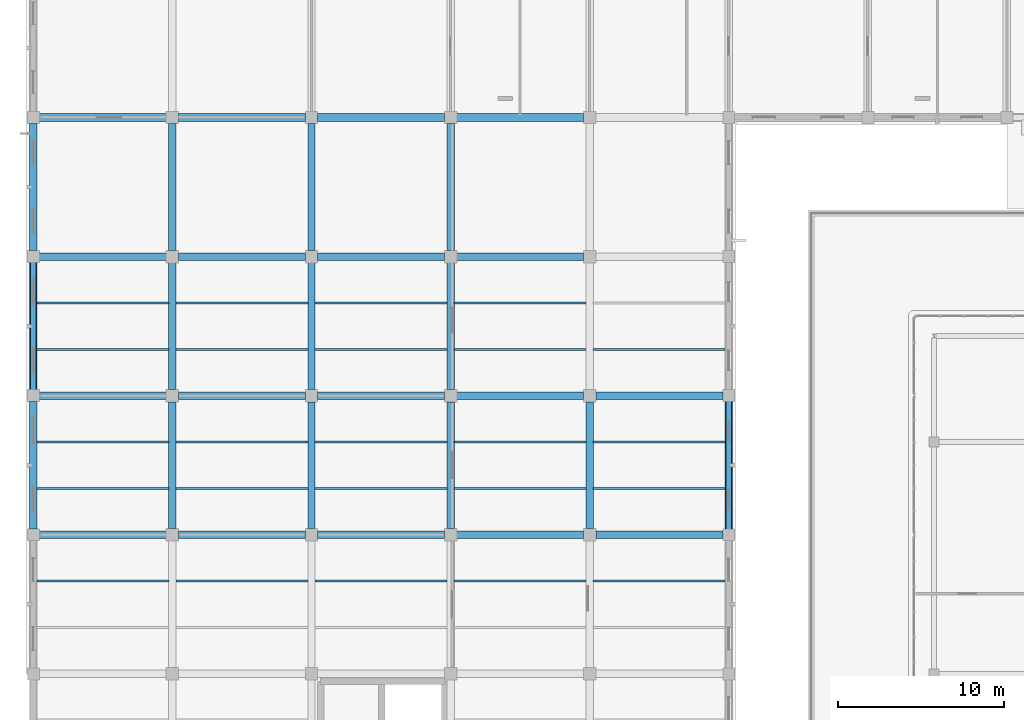
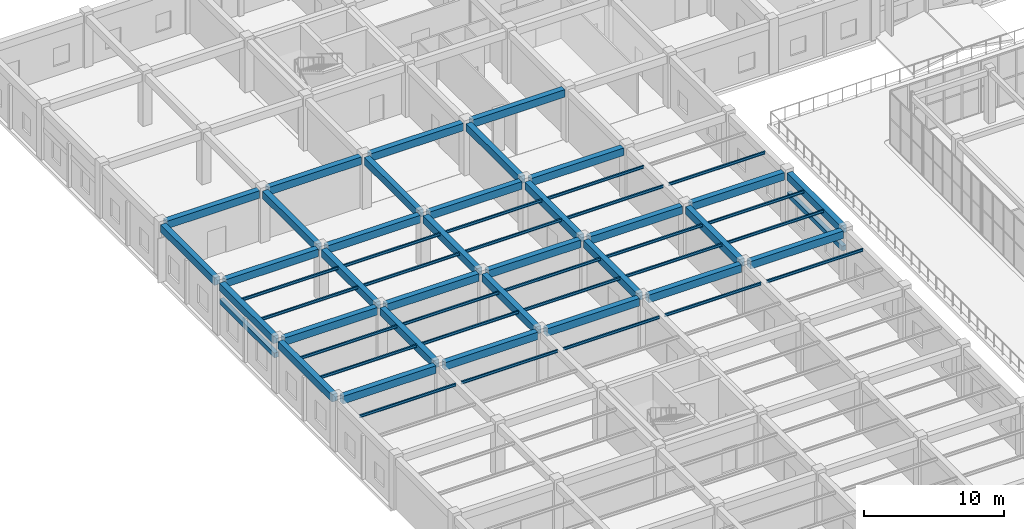
# One storey, part 53 of 158: 58 beams.
"""IFC4 building model written with IfcOpenShell, lengths in metres."""

from ifc_helpers import new_model, si_unit, direction, frame, origin, origin_2d, place, context, subcontext, project, spatial, rectangle, i_section, extrude, material, material_profile, profile_set, type_object, element, save


model = new_model("IFC4")

# Units and contexts
model_context = context("Model", 3, precision=1e-05, world=origin(), true_north=direction((0.0, 1.0)))
body_context = subcontext(model_context, "Body", "Model", "MODEL_VIEW")
ifc_project = project(units=[si_unit("LENGTHUNIT", "METRE"), si_unit("AREAUNIT", "SQUARE_METRE"), si_unit("VOLUMEUNIT", "CUBIC_METRE"), si_unit("PLANEANGLEUNIT", "RADIAN"), si_unit("MASSUNIT", "GRAM", prefix="KILO")], contexts=[model_context])

# Site, building, storey
site_placement = place(None, origin())
site = spatial("IfcSite", under=ifc_project, at=site_placement, CompositionType="ELEMENT")
building_placement = place(site_placement, origin())
building = spatial("IfcBuilding", under=site, at=building_placement, Name="Trelvath General Hospital", CompositionType="ELEMENT")
storey_placement = place(building_placement, frame((0.0, 0.0, 8.10009765625)))
storey = spatial("IfcBuildingStorey", under=building, at=storey_placement, Name="L02", CompositionType="ELEMENT", Elevation=8.10009765625)

# Beams
ifc_material_1 = material(Name="Concrete C35/45", Category="concrete")
ifc_material_profile_1 = material_profile(ifc_material_1, rectangle(XDim=0.449951171875, YDim=0.64990234375, at=origin_2d()), Name="RCB450x650")
ifc_profile_set_1 = profile_set([ifc_material_profile_1], Name="Concrete C35/45")
beam_type_1 = type_object("IfcBeamType", Name="Beam RC450x650", PredefinedType="BEAM", material=ifc_profile_set_1)
beam_1_placement = place(storey_placement, frame((0.0, 67.554931640625, 4.19482421875), z_axis=(0.0, 1.0, 0.0), x_axis=(-1.0, 0.0, 0.0)))
element("IfcBeam", 1, at=beam_1_placement, inside=storey, type_object=beam_type_1, Name="Grid Beam BY-200I", PredefinedType="BEAM", context=body_context, shape_type="SweptSolid", body=[
    extrude(rectangle(XDim=0.449951171875, YDim=0.64990234375, at=origin_2d()), origin(), (0.0, 0.0, 1.0), 7.690185546875),
])
for number, where, z_axis, x_axis, name in (
    (2, (0.0, 75.955078125, 4.19482421875), (0.0, 1.0, 0.0), (-1.0, 0.0, 0.0), "Grid Beam BY-200J"),
    (3, (0.0, 84.35498046875, 4.19482421875), (0.0, 1.0, 0.0), (-1.0, 0.0, 0.0), "Grid Beam BY-200K"),
):
    element("IfcBeam", number, at=place(storey_placement, frame(where, z_axis=z_axis, x_axis=x_axis)), inside=storey, type_object=beam_type_1, Name=name, PredefinedType="BEAM", context=body_context, shape_type="SweptSolid", body=[
        extrude(rectangle(XDim=0.449951171875, YDim=0.64990234375, at=origin_2d()), origin(), (0.0, 0.0, 1.0), 7.68994140625),
    ])
for number, where, z_axis, x_axis, name in (
    (4, (8.39990234375, 67.570068359375, 4.19482421875), (0.0, 1.0, 0.0), (-1.0, 0.0, 0.0), "Grid Beam BY-201I"),
    (5, (8.39990234375, 75.969970703125, 4.19482421875), (0.0, 1.0, 0.0), (-1.0, 0.0, 0.0), "Grid Beam BY-201J"),
    (6, (8.39990234375, 84.3701171875, 4.19482421875), (0.0, 1.0, 0.0), (-1.0, 0.0, 0.0), "Grid Beam BY-201K"),
    (7, (16.800048828125, 67.570068359375, 4.19482421875), (0.0, 1.0, 0.0), (-1.0, 0.0, 0.0), "Grid Beam BY-202I"),
    (8, (16.800048828125, 75.969970703125, 4.19482421875), (0.0, 1.0, 0.0), (-1.0, 0.0, 0.0), "Grid Beam BY-202J"),
    (9, (16.800048828125, 84.3701171875, 4.19482421875), (0.0, 1.0, 0.0), (-1.0, 0.0, 0.0), "Grid Beam BY-202K"),
    (10, (25.199951171875, 67.570068359375, 4.19482421875), (0.0, 1.0, 0.0), (-1.0, 0.0, 0.0), "Grid Beam BY-203I"),
    (11, (25.199951171875, 75.969970703125, 4.19482421875), (0.0, 1.0, 0.0), (-1.0, 0.0, 0.0), "Grid Beam BY-203J"),
    (12, (25.199951171875, 84.3701171875, 4.19482421875), (0.0, 1.0, 0.0), (-1.0, 0.0, 0.0), "Grid Beam BY-203K"),
    (13, (33.60009765625, 67.570068359375, 4.19482421875), (0.0, 1.0, 0.0), (-1.0, 0.0, 0.0), "Grid Beam BY-204I"),
):
    element("IfcBeam", number, at=place(storey_placement, frame(where, z_axis=z_axis, x_axis=x_axis)), inside=storey, type_object=beam_type_1, Name=name, PredefinedType="BEAM", context=body_context, shape_type="SweptSolid", body=[
        extrude(rectangle(XDim=0.449951171875, YDim=0.64990234375, at=origin_2d()), origin(), (0.0, 0.0, 1.0), 7.659912109375),
    ])
beam_2_placement = place(storey_placement, frame((42.0, 67.554931640625, 4.19482421875), z_axis=(0.0, 1.0, 0.0), x_axis=(-1.0, 0.0, 0.0)))
element("IfcBeam", 14, at=beam_2_placement, inside=storey, type_object=beam_type_1, Name="Grid Beam BY-205I", PredefinedType="BEAM", context=body_context, shape_type="SweptSolid", body=[
    extrude(rectangle(XDim=0.449951171875, YDim=0.64990234375, at=origin_2d()), origin(), (0.0, 0.0, 1.0), 7.690185546875),
])
ifc_material_2 = material(Name="Concrete C35/45", Category="concrete")
ifc_material_profile_2 = material_profile(ifc_material_2, rectangle(XDim=0.4599609375, YDim=0.659912109375, at=origin_2d()), Name="RCB460x660")
ifc_profile_set_2 = profile_set([ifc_material_profile_2], Name="Concrete C35/45")
beam_type_2 = type_object("IfcBeamType", Name="Beam RC460x660", PredefinedType="BEAM", material=ifc_profile_set_2)
for number, where, z_axis, x_axis, name in (
    (15, (0.35498046875, 67.199951171875, 4.18994140625), (1.0, 0.0, 0.0), (0.0, 1.0, 0.0), "Grid Beam BX-200I"),
    (16, (0.35498046875, 75.60009765625, 4.18994140625), (1.0, 0.0, 0.0), (0.0, 1.0, 0.0), "Grid Beam BX-200J"),
    (17, (0.35498046875, 84.0, 4.18994140625), (1.0, 0.0, 0.0), (0.0, 1.0, 0.0), "Grid Beam BX-200K"),
    (18, (0.35498046875, 92.39990234375, 4.18994140625), (1.0, 0.0, 0.0), (0.0, 1.0, 0.0), "Grid Beam BX-200L"),
):
    element("IfcBeam", number, at=place(storey_placement, frame(where, z_axis=z_axis, x_axis=x_axis)), inside=storey, type_object=beam_type_2, Name=name, PredefinedType="BEAM", context=body_context, shape_type="SweptSolid", body=[
        extrude(rectangle(XDim=0.4599609375, YDim=0.659912109375, at=origin_2d()), origin(), (0.0, 0.0, 1.0), 7.675048828125),
    ])
for number, where, z_axis, x_axis, name in (
    (19, (8.77001953125, 67.199951171875, 4.18994140625), (1.0, 0.0, 0.0), (0.0, 1.0, 0.0), "Grid Beam BX-201I"),
    (20, (8.77001953125, 75.60009765625, 4.18994140625), (1.0, 0.0, 0.0), (0.0, 1.0, 0.0), "Grid Beam BX-201J"),
    (21, (8.77001953125, 84.0, 4.18994140625), (1.0, 0.0, 0.0), (0.0, 1.0, 0.0), "Grid Beam BX-201K"),
    (22, (8.77001953125, 92.39990234375, 4.18994140625), (1.0, 0.0, 0.0), (0.0, 1.0, 0.0), "Grid Beam BX-201L"),
):
    element("IfcBeam", number, at=place(storey_placement, frame(where, z_axis=z_axis, x_axis=x_axis)), inside=storey, type_object=beam_type_2, Name=name, PredefinedType="BEAM", context=body_context, shape_type="SweptSolid", body=[
        extrude(rectangle(XDim=0.4599609375, YDim=0.659912109375, at=origin_2d()), origin(), (0.0, 0.0, 1.0), 7.659912109375),
    ])
for number, where, z_axis, x_axis, name in (
    (23, (17.169921875, 67.199951171875, 4.18994140625), (1.0, 0.0, 0.0), (0.0, 1.0, 0.0), "Grid Beam BX-202I"),
    (24, (17.169921875, 75.60009765625, 4.18994140625), (1.0, 0.0, 0.0), (0.0, 1.0, 0.0), "Grid Beam BX-202J"),
    (25, (17.169921875, 84.0, 4.18994140625), (1.0, 0.0, 0.0), (0.0, 1.0, 0.0), "Grid Beam BX-202K"),
    (26, (17.169921875, 92.39990234375, 4.18994140625), (1.0, 0.0, 0.0), (0.0, 1.0, 0.0), "Grid Beam BX-202L"),
):
    element("IfcBeam", number, at=place(storey_placement, frame(where, z_axis=z_axis, x_axis=x_axis)), inside=storey, type_object=beam_type_2, Name=name, PredefinedType="BEAM", context=body_context, shape_type="SweptSolid", body=[
        extrude(rectangle(XDim=0.4599609375, YDim=0.659912109375, at=origin_2d()), origin(), (0.0, 0.0, 1.0), 7.66015625),
    ])
for number, where, z_axis, x_axis, name in (
    (27, (25.570068359375, 67.199951171875, 4.18994140625), (1.0, 0.0, 0.0), (0.0, 1.0, 0.0), "Grid Beam BX-203I"),
    (28, (25.570068359375, 75.60009765625, 4.18994140625), (1.0, 0.0, 0.0), (0.0, 1.0, 0.0), "Grid Beam BX-203J"),
    (29, (25.570068359375, 84.0, 4.18994140625), (1.0, 0.0, 0.0), (0.0, 1.0, 0.0), "Grid Beam BX-203K"),
    (30, (25.570068359375, 92.39990234375, 4.18994140625), (1.0, 0.0, 0.0), (0.0, 1.0, 0.0), "Grid Beam BX-203L"),
):
    element("IfcBeam", number, at=place(storey_placement, frame(where, z_axis=z_axis, x_axis=x_axis)), inside=storey, type_object=beam_type_2, Name=name, PredefinedType="BEAM", context=body_context, shape_type="SweptSolid", body=[
        extrude(rectangle(XDim=0.4599609375, YDim=0.659912109375, at=origin_2d()), origin(), (0.0, 0.0, 1.0), 7.659912109375),
    ])
for number, where, z_axis, x_axis, name in (
    (31, (33.969970703125, 67.199951171875, 4.18994140625), (1.0, 0.0, 0.0), (0.0, 1.0, 0.0), "Grid Beam BX-204I"),
    (32, (33.969970703125, 75.60009765625, 4.18994140625), (1.0, 0.0, 0.0), (0.0, 1.0, 0.0), "Grid Beam BX-204J"),
):
    element("IfcBeam", number, at=place(storey_placement, frame(where, z_axis=z_axis, x_axis=x_axis)), inside=storey, type_object=beam_type_2, Name=name, PredefinedType="BEAM", context=body_context, shape_type="SweptSolid", body=[
        extrude(rectangle(XDim=0.4599609375, YDim=0.659912109375, at=origin_2d()), origin(), (0.0, 0.0, 1.0), 7.675048828125),
    ])
ifc_material_3 = material(Name="Steel S355", Category="steel")
ifc_material_profile_3 = material_profile(ifc_material_3, i_section(OverallWidth=0.1201171875, OverallDepth=0.239990234375, WebThickness=0.006103515625, FlangeThickness=0.009765625, at=origin_2d()), Name="IPE240")
ifc_profile_set_3 = profile_set([ifc_material_profile_3], Name="Steel S355")
beam_type_3 = type_object("IfcBeamType", Name="InterstitialJoist IPE240", PredefinedType="JOIST", material=ifc_profile_set_3)
for number, where, z_axis, x_axis, name in (
    (33, (0.215087890625, 64.39990234375, 4.39990234375), (1.0, 0.0, 0.0), (0.0, 1.0, 0.0), "Interstitial Deck Joist IJ-3-170"),
    (34, (0.215087890625, 70.0, 4.39990234375), (1.0, 0.0, 0.0), (0.0, 1.0, 0.0), "Interstitial Deck Joist IJ-3-171"),
    (35, (0.215087890625, 72.800048828125, 4.39990234375), (1.0, 0.0, 0.0), (0.0, 1.0, 0.0), "Interstitial Deck Joist IJ-3-172"),
    (36, (0.215087890625, 78.39990234375, 4.39990234375), (1.0, 0.0, 0.0), (0.0, 1.0, 0.0), "Interstitial Deck Joist IJ-3-173"),
    (37, (0.215087890625, 81.199951171875, 4.39990234375), (1.0, 0.0, 0.0), (0.0, 1.0, 0.0), "Interstitial Deck Joist IJ-3-174"),
    (38, (8.614990234375, 64.39990234375, 4.39990234375), (1.0, 0.0, 0.0), (0.0, 1.0, 0.0), "Interstitial Deck Joist IJ-3-182"),
    (39, (8.614990234375, 70.0, 4.39990234375), (1.0, 0.0, 0.0), (0.0, 1.0, 0.0), "Interstitial Deck Joist IJ-3-183"),
    (40, (8.614990234375, 72.800048828125, 4.39990234375), (1.0, 0.0, 0.0), (0.0, 1.0, 0.0), "Interstitial Deck Joist IJ-3-184"),
    (41, (8.614990234375, 78.39990234375, 4.39990234375), (1.0, 0.0, 0.0), (0.0, 1.0, 0.0), "Interstitial Deck Joist IJ-3-185"),
    (42, (8.614990234375, 81.199951171875, 4.39990234375), (1.0, 0.0, 0.0), (0.0, 1.0, 0.0), "Interstitial Deck Joist IJ-3-186"),
):
    element("IfcBeam", number, at=place(storey_placement, frame(where, z_axis=z_axis, x_axis=x_axis)), inside=storey, type_object=beam_type_3, Name=name, PredefinedType="JOIST", context=body_context, shape_type="SweptSolid", body=[
        extrude(i_section(OverallWidth=0.1201171875, OverallDepth=0.239990234375, WebThickness=0.006103515625, FlangeThickness=0.009765625, at=origin_2d()), origin(), (0.0, 0.0, 1.0), 7.969970703125),
    ])
for number, where, z_axis, x_axis, name in (
    (43, (17.014892578125, 64.39990234375, 4.39990234375), (1.0, 0.0, 0.0), (0.0, 1.0, 0.0), "Interstitial Deck Joist IJ-3-192"),
    (44, (17.014892578125, 70.0, 4.39990234375), (1.0, 0.0, 0.0), (0.0, 1.0, 0.0), "Interstitial Deck Joist IJ-3-193"),
    (45, (17.014892578125, 72.800048828125, 4.39990234375), (1.0, 0.0, 0.0), (0.0, 1.0, 0.0), "Interstitial Deck Joist IJ-3-194"),
    (46, (17.014892578125, 78.39990234375, 4.39990234375), (1.0, 0.0, 0.0), (0.0, 1.0, 0.0), "Interstitial Deck Joist IJ-3-195"),
    (47, (17.014892578125, 81.199951171875, 4.39990234375), (1.0, 0.0, 0.0), (0.0, 1.0, 0.0), "Interstitial Deck Joist IJ-3-196"),
):
    element("IfcBeam", number, at=place(storey_placement, frame(where, z_axis=z_axis, x_axis=x_axis)), inside=storey, type_object=beam_type_3, Name=name, PredefinedType="JOIST", context=body_context, shape_type="SweptSolid", body=[
        extrude(i_section(OverallWidth=0.1201171875, OverallDepth=0.239990234375, WebThickness=0.006103515625, FlangeThickness=0.009765625, at=origin_2d()), origin(), (0.0, 0.0, 1.0), 7.97021484375),
    ])
for number, where, z_axis, x_axis, name in (
    (48, (25.4150390625, 64.39990234375, 4.39990234375), (1.0, 0.0, 0.0), (0.0, 1.0, 0.0), "Interstitial Deck Joist IJ-3-204"),
    (49, (25.4150390625, 70.0, 4.39990234375), (1.0, 0.0, 0.0), (0.0, 1.0, 0.0), "Interstitial Deck Joist IJ-3-205"),
    (50, (25.4150390625, 72.800048828125, 4.39990234375), (1.0, 0.0, 0.0), (0.0, 1.0, 0.0), "Interstitial Deck Joist IJ-3-206"),
    (51, (25.4150390625, 78.39990234375, 4.39990234375), (1.0, 0.0, 0.0), (0.0, 1.0, 0.0), "Interstitial Deck Joist IJ-3-207"),
    (52, (25.4150390625, 81.199951171875, 4.39990234375), (1.0, 0.0, 0.0), (0.0, 1.0, 0.0), "Interstitial Deck Joist IJ-3-208"),
    (53, (33.81494140625, 64.39990234375, 4.39990234375), (1.0, 0.0, 0.0), (0.0, 1.0, 0.0), "Interstitial Deck Joist IJ-3-216"),
    (54, (33.81494140625, 70.0, 4.39990234375), (1.0, 0.0, 0.0), (0.0, 1.0, 0.0), "Interstitial Deck Joist IJ-3-217"),
    (55, (33.81494140625, 72.800048828125, 4.39990234375), (1.0, 0.0, 0.0), (0.0, 1.0, 0.0), "Interstitial Deck Joist IJ-3-218"),
    (56, (33.81494140625, 78.39990234375, 4.39990234375), (1.0, 0.0, 0.0), (0.0, 1.0, 0.0), "Interstitial Deck Joist IJ-3-219"),
):
    element("IfcBeam", number, at=place(storey_placement, frame(where, z_axis=z_axis, x_axis=x_axis)), inside=storey, type_object=beam_type_3, Name=name, PredefinedType="JOIST", context=body_context, shape_type="SweptSolid", body=[
        extrude(i_section(OverallWidth=0.1201171875, OverallDepth=0.239990234375, WebThickness=0.006103515625, FlangeThickness=0.009765625, at=origin_2d()), origin(), (0.0, 0.0, 1.0), 7.969970703125),
    ])
ifc_material_4 = material(Name="Precast concrete C40/50", Category="concrete")
ifc_material_profile_4 = material_profile(ifc_material_4, rectangle(XDim=0.35009765625, YDim=0.419921875, at=origin_2d()), Name="PCL350x420")
ifc_profile_set_4 = profile_set([ifc_material_profile_4], Name="Precast concrete C40/50")
beam_type_4 = type_object("IfcBeamType", Name="Lintel PC350x420", PredefinedType="LINTEL", material=ifc_profile_set_4)
beam_3_placement = place(storey_placement, frame((0.0, 75.875, 2.869873046875), z_axis=(0.0, 1.0, 0.0), x_axis=(-1.0, 0.0, 0.0)))
element("IfcBeam", 57, at=beam_3_placement, inside=storey, type_object=beam_type_4, Name="Precast Window Brow Lintel L02-230", PredefinedType="LINTEL", context=body_context, shape_type="SweptSolid", body=[
    extrude(rectangle(XDim=0.35009765625, YDim=0.419921875, at=origin_2d()), origin(), (0.0, 0.0, 1.0), 7.85009765625),
])
beam_4_placement = place(storey_placement, frame((42.0, 75.324951171875, 2.58984375), z_axis=(0.0, -1.0, 0.0), x_axis=(1.0, 0.0, 0.0)))
element("IfcBeam", 58, at=beam_4_placement, inside=storey, type_object=beam_type_4, Name="Precast Window Brow Lintel L02-248", PredefinedType="LINTEL", context=body_context, shape_type="SweptSolid", body=[
    extrude(rectangle(XDim=0.35009765625, YDim=0.419921875, at=origin_2d()), origin(), (0.0, 0.0, 1.0), 7.849853515625),
])

save(model, "model.ifc")
